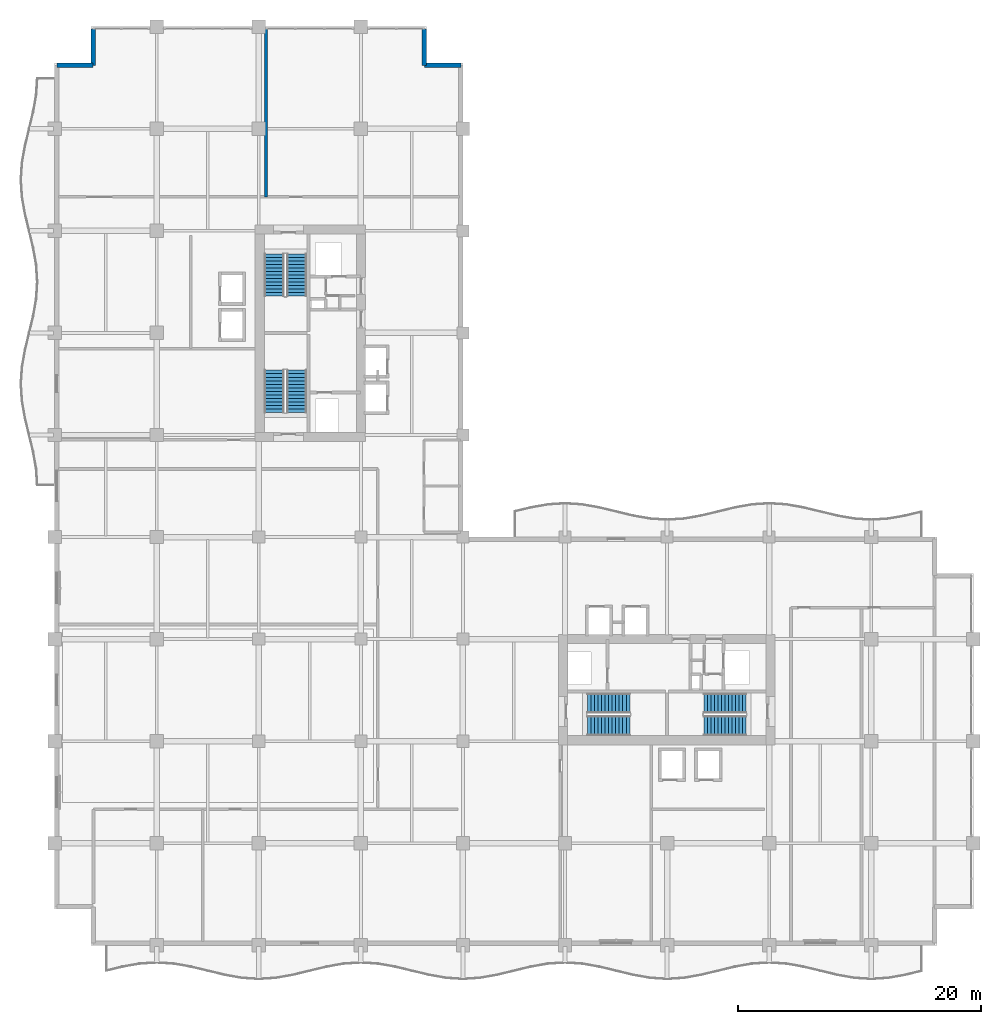
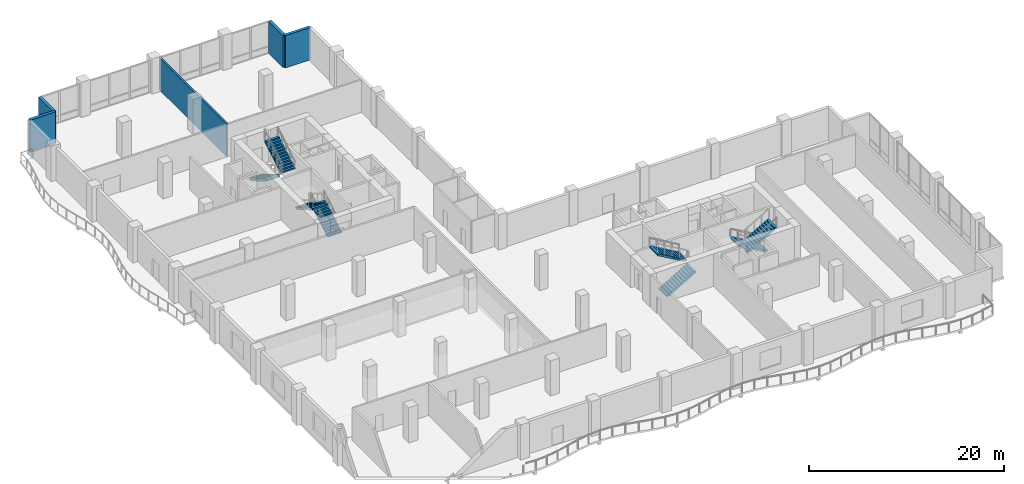
# One storey, part 19 of 25: 8 stair flights, 5 walls, 4 elements without a shape of their own.
"""IFC4 building model written with IfcOpenShell, lengths in metres."""

from ifc_helpers import new_model, si_unit, direction, frame, frame_2d, origin, place, context, subcontext, project, spatial, polyline, rectangle, outline, extrude, material, layer, layer_set, type_object, element, aggregate, save


model = new_model("IFC4")

# Units and contexts
model_context = context("Model", 3, precision=1e-05, world=origin(), true_north=direction((0.0, 1.0)))
body_context = subcontext(model_context, "Body", "Model", "MODEL_VIEW")
ifc_project = project(units=[si_unit("LENGTHUNIT", "METRE"), si_unit("AREAUNIT", "SQUARE_METRE"), si_unit("VOLUMEUNIT", "CUBIC_METRE"), si_unit("PLANEANGLEUNIT", "RADIAN"), si_unit("MASSUNIT", "GRAM", prefix="KILO")], contexts=[model_context])

# Site, building, storey
site_placement = place(None, origin())
site = spatial("IfcSite", under=ifc_project, at=site_placement, CompositionType="ELEMENT")
building_placement = place(site_placement, origin())
building = spatial("IfcBuilding", under=site, at=building_placement, Name="Koriwani Terraces Tower", CompositionType="ELEMENT")
storey_placement = place(building_placement, frame((0.0, 0.0, 157.60009765625)))
storey = spatial("IfcBuildingStorey", under=building, at=storey_placement, Name="L38", CompositionType="ELEMENT", Elevation=157.60009765625)

# Walls
ifc_material_1 = material(Name="Autoclaved Cellular Concrete Blockwork", Category="masonry")
ifc_layer_1 = layer(ifc_material_1, 0.219970703125, Name="Autoclaved Cellular Concrete Blockwork")
ifc_layer_set_1 = layer_set([ifc_layer_1], Name="Autoclaved Cellular Concrete Blockwork")
wall_type_1 = type_object("IfcWallType", Name="WALL_DEMISING_220", PredefinedType="PARTITIONING", material=ifc_layer_set_1)
wall_placement = place(storey_placement, frame((17.39990234375, 61.60009765625, 0.0), z_axis=(0.0, 0.0, 1.0), x_axis=(0.0, 1.0, 0.0)))
element("IfcWall", 1, at=wall_placement, inside=storey, type_object=wall_type_1, Name="L38 Interior Wall WSKY-NDIV-L38", PredefinedType="PARTITIONING", context=body_context, shape_type="SweptSolid", body=[
    extrude(rectangle(XDim=13.849853515625, YDim=0.219970703125, at=frame_2d((6.9248046875, 0.0))), origin(), (0.0, 0.0, 1.0), 4.0498046875),
])
ifc_material_2 = material(Name="Concrete C50/60", Category="concrete")
ifc_layer_2 = layer(ifc_material_2, 0.35009765625, Name="Concrete C50/60")
ifc_layer_set_2 = layer_set([ifc_layer_2], Name="Concrete C50/60")
wall_type_2 = type_object("IfcWallType", Name="WALL_EXT_BRUTALIST_350", PredefinedType="STANDARD", material=ifc_layer_set_2)
for number, where, z_axis, x_axis, name in (
    (2, (0.175048828125, 72.425048828125, 0.0), (0.0, 0.0, 1.0), (1.0, 0.0, 0.0), "L38 Fair-Faced Brutalist Exterior Wall (N3)"),
    (3, (3.175048828125, 72.425048828125, 0.0), (0.0, 0.0, 1.0), (0.0, 1.0, 0.0), "L38 Fair-Faced Brutalist Exterior Wall (N4)"),
    (4, (30.425048828125, 75.425048828125, 0.0), (0.0, 0.0, 1.0), (0.0, -1.0, 0.0), "L38 Fair-Faced Brutalist Exterior Wall (N6)"),
    (5, (30.425048828125, 72.425048828125, 0.0), (0.0, 0.0, 1.0), (1.0, 0.0, 0.0), "L38 Fair-Faced Brutalist Exterior Wall (N7)"),
):
    element("IfcWall", number, at=place(storey_placement, frame(where, z_axis=z_axis, x_axis=x_axis)), inside=storey, type_object=wall_type_2, Name=name, PredefinedType="STANDARD", context=body_context, shape_type="SweptSolid", body=[
        extrude(rectangle(XDim=3.0, YDim=0.35009765625, at=frame_2d((1.5, 0.0))), origin(), (0.0, 0.0, 1.0), 4.0498046875),
    ])

# Stair, stair flights
ifc_material_3 = material(Name="Concrete C40/50", Category="concrete")
stair_type = type_object("IfcStairType", Name="STAIR_CORE_DOGLEG_1650", PredefinedType="TWO_STRAIGHT_RUN_STAIR", material=ifc_material_3)
stair_1_placement = place(storey_placement, origin())
stair_1 = element("IfcStair", 6, at=stair_1_placement, inside=storey, type_object=stair_type, Name="L38 West Core Exit Stair 1", PredefinedType="HALF_TURN_STAIR")
stair_flight_type = type_object("IfcStairFlightType", Name="STAIR_FLIGHT_RC_1650", PredefinedType="STRAIGHT", material=ifc_material_3)
stair_flight_1_placement = place(storey_placement, frame((19.925048828125, 43.85009765625, 0.0), z_axis=(0.0, 0.0, 1.0), x_axis=(0.0, 1.0, 0.0)))
stair_flight_1 = element("IfcStairFlight", 7, at=stair_flight_1_placement, type_object=stair_flight_type, Name="ST-W1 flight 1", NumberOfRisers=13, NumberOfTreads=12, PredefinedType="STRAIGHT", RiserHeight=0.169230769, TreadLength=0.29, context=body_context, shape_type="SweptSolid", body=[
    extrude(outline(polyline([(0.0, 0.0), (0.0, 0.169189453125), (0.2900390625, 0.169189453125), (0.2900390625, 0.33837890625), (0.580078125, 0.33837890625), (0.580078125, 0.5078125), (0.8701171875, 0.5078125), (0.8701171875, 0.677001953125), (1.159912109375, 0.677001953125), (1.159912109375, 0.84619140625), (1.449951171875, 0.84619140625), (1.449951171875, 1.015380859375), (1.739990234375, 1.015380859375), (1.739990234375, 1.1845703125), (2.030029296875, 1.1845703125), (2.030029296875, 1.353759765625), (2.320068359375, 1.353759765625), (2.320068359375, 1.523193359375), (2.610107421875, 1.523193359375), (2.610107421875, 1.6923828125), (2.89990234375, 1.6923828125), (2.89990234375, 1.861572265625), (3.18994140625, 1.861572265625), (3.18994140625, 2.03076171875), (3.47998046875, 2.03076171875), (3.47998046875, 2.199951171875), (3.47998046875, 1.822509765625), (0.35693359375, 0.0), (0.0, 0.0)])), frame((0.0, 0.824951171875, 0.0), z_axis=(0.0, -1.0, 0.0), x_axis=(1.0, 0.0, 0.0)), (0.0, 0.0, 1.0), 1.64990234375),
])
stair_flight_2_placement = place(storey_placement, frame((18.074951171875, 47.330078125, 2.199951171875), z_axis=(0.0, 0.0, 1.0), x_axis=(0.0, -1.0, 0.0)))
stair_flight_2 = element("IfcStairFlight", 8, at=stair_flight_2_placement, type_object=stair_flight_type, Name="ST-W1 flight 2", NumberOfRisers=13, NumberOfTreads=12, PredefinedType="STRAIGHT", RiserHeight=0.169230769, TreadLength=0.29, context=body_context, shape_type="SweptSolid", body=[
    extrude(outline(polyline([(0.0, 0.0), (0.0, 0.169189453125), (0.2900390625, 0.169189453125), (0.2900390625, 0.33837890625), (0.580078125, 0.33837890625), (0.580078125, 0.5078125), (0.8701171875, 0.5078125), (0.8701171875, 0.677001953125), (1.159912109375, 0.677001953125), (1.159912109375, 0.84619140625), (1.449951171875, 0.84619140625), (1.449951171875, 1.015380859375), (1.739990234375, 1.015380859375), (1.739990234375, 1.1845703125), (2.030029296875, 1.1845703125), (2.030029296875, 1.353759765625), (2.320068359375, 1.353759765625), (2.320068359375, 1.523193359375), (2.610107421875, 1.523193359375), (2.610107421875, 1.6923828125), (2.89990234375, 1.6923828125), (2.89990234375, 1.861572265625), (3.18994140625, 1.861572265625), (3.18994140625, 2.03076171875), (3.47998046875, 2.03076171875), (3.47998046875, 2.199951171875), (3.47998046875, 1.822509765625), (0.35693359375, 0.0), (0.0, 0.0)])), frame((0.0, 0.824951171875, 0.0), z_axis=(0.0, -1.0, 0.0), x_axis=(1.0, 0.0, 0.0)), (0.0, 0.0, 1.0), 1.64990234375),
])
aggregate(stair_1, [stair_flight_1, stair_flight_2])

stair_2_placement = place(storey_placement, origin())
stair_2 = element("IfcStair", 9, at=stair_2_placement, inside=storey, type_object=stair_type, Name="L38 West Core Exit Stair 2", PredefinedType="HALF_TURN_STAIR")
stair_flight_3_placement = place(storey_placement, frame((18.074951171875, 56.89990234375, 0.0), z_axis=(0.0, 0.0, 1.0), x_axis=(0.0, -1.0, 0.0)))
stair_flight_3 = element("IfcStairFlight", 10, at=stair_flight_3_placement, type_object=stair_flight_type, Name="ST-W2 flight 1", NumberOfRisers=13, NumberOfTreads=12, PredefinedType="STRAIGHT", RiserHeight=0.169230769, TreadLength=0.29, context=body_context, shape_type="SweptSolid", body=[
    extrude(outline(polyline([(0.0, 0.0), (0.0, 0.169189453125), (0.2900390625, 0.169189453125), (0.2900390625, 0.33837890625), (0.580078125, 0.33837890625), (0.580078125, 0.5078125), (0.8701171875, 0.5078125), (0.8701171875, 0.677001953125), (1.159912109375, 0.677001953125), (1.159912109375, 0.84619140625), (1.449951171875, 0.84619140625), (1.449951171875, 1.015380859375), (1.739990234375, 1.015380859375), (1.739990234375, 1.1845703125), (2.030029296875, 1.1845703125), (2.030029296875, 1.353759765625), (2.320068359375, 1.353759765625), (2.320068359375, 1.523193359375), (2.610107421875, 1.523193359375), (2.610107421875, 1.6923828125), (2.89990234375, 1.6923828125), (2.89990234375, 1.861572265625), (3.18994140625, 1.861572265625), (3.18994140625, 2.03076171875), (3.47998046875, 2.03076171875), (3.47998046875, 2.199951171875), (3.47998046875, 1.822509765625), (0.35693359375, 0.0), (0.0, 0.0)])), frame((0.0, 0.824951171875, 0.0), z_axis=(0.0, -1.0, 0.0), x_axis=(1.0, 0.0, 0.0)), (0.0, 0.0, 1.0), 1.64990234375),
])
stair_flight_4_placement = place(storey_placement, frame((19.925048828125, 53.419921875, 2.199951171875), z_axis=(0.0, 0.0, 1.0), x_axis=(0.0, 1.0, 0.0)))
stair_flight_4 = element("IfcStairFlight", 11, at=stair_flight_4_placement, type_object=stair_flight_type, Name="ST-W2 flight 2", NumberOfRisers=13, NumberOfTreads=12, PredefinedType="STRAIGHT", RiserHeight=0.169230769, TreadLength=0.29, context=body_context, shape_type="SweptSolid", body=[
    extrude(outline(polyline([(0.0, 0.0), (0.0, 0.169189453125), (0.2900390625, 0.169189453125), (0.2900390625, 0.33837890625), (0.580078125, 0.33837890625), (0.580078125, 0.5078125), (0.8701171875, 0.5078125), (0.8701171875, 0.677001953125), (1.159912109375, 0.677001953125), (1.159912109375, 0.84619140625), (1.449951171875, 0.84619140625), (1.449951171875, 1.015380859375), (1.739990234375, 1.015380859375), (1.739990234375, 1.1845703125), (2.030029296875, 1.1845703125), (2.030029296875, 1.353759765625), (2.320068359375, 1.353759765625), (2.320068359375, 1.523193359375), (2.610107421875, 1.523193359375), (2.610107421875, 1.6923828125), (2.89990234375, 1.6923828125), (2.89990234375, 1.861572265625), (3.18994140625, 1.861572265625), (3.18994140625, 2.03076171875), (3.47998046875, 2.03076171875), (3.47998046875, 2.199951171875), (3.47998046875, 1.822509765625), (0.35693359375, 0.0), (0.0, 0.0)])), frame((0.0, 0.824951171875, 0.0), z_axis=(0.0, -1.0, 0.0), x_axis=(1.0, 0.0, 0.0)), (0.0, 0.0, 1.0), 1.64990234375),
])
aggregate(stair_2, [stair_flight_3, stair_flight_4])

stair_3_placement = place(storey_placement, origin())
stair_3 = element("IfcStair", 12, at=stair_3_placement, inside=storey, type_object=stair_type, Name="L38 East Core Exit Stair 1", PredefinedType="HALF_TURN_STAIR")
stair_flight_5_placement = place(storey_placement, frame((43.85009765625, 18.074951171875, 0.0), z_axis=(0.0, 0.0, 1.0), x_axis=(1.0, 0.0, 0.0)))
stair_flight_5 = element("IfcStairFlight", 13, at=stair_flight_5_placement, type_object=stair_flight_type, Name="ST-E1 flight 1", NumberOfRisers=13, NumberOfTreads=12, PredefinedType="STRAIGHT", RiserHeight=0.169230769, TreadLength=0.29, context=body_context, shape_type="SweptSolid", body=[
    extrude(outline(polyline([(0.0, 0.0), (0.0, 0.169189453125), (0.2900390625, 0.169189453125), (0.2900390625, 0.33837890625), (0.580078125, 0.33837890625), (0.580078125, 0.5078125), (0.8701171875, 0.5078125), (0.8701171875, 0.677001953125), (1.159912109375, 0.677001953125), (1.159912109375, 0.84619140625), (1.449951171875, 0.84619140625), (1.449951171875, 1.015380859375), (1.739990234375, 1.015380859375), (1.739990234375, 1.1845703125), (2.030029296875, 1.1845703125), (2.030029296875, 1.353759765625), (2.320068359375, 1.353759765625), (2.320068359375, 1.523193359375), (2.610107421875, 1.523193359375), (2.610107421875, 1.6923828125), (2.89990234375, 1.6923828125), (2.89990234375, 1.861572265625), (3.18994140625, 1.861572265625), (3.18994140625, 2.03076171875), (3.47998046875, 2.03076171875), (3.47998046875, 2.199951171875), (3.47998046875, 1.822509765625), (0.35693359375, 0.0), (0.0, 0.0)])), frame((0.0, 0.824951171875, 0.0), z_axis=(0.0, -1.0, 0.0), x_axis=(1.0, 0.0, 0.0)), (0.0, 0.0, 1.0), 1.64990234375),
])
stair_flight_6_placement = place(storey_placement, frame((47.330078125, 19.925048828125, 2.199951171875), z_axis=(0.0, 0.0, 1.0), x_axis=(-1.0, 0.0, 0.0)))
stair_flight_6 = element("IfcStairFlight", 14, at=stair_flight_6_placement, type_object=stair_flight_type, Name="ST-E1 flight 2", NumberOfRisers=13, NumberOfTreads=12, PredefinedType="STRAIGHT", RiserHeight=0.169230769, TreadLength=0.29, context=body_context, shape_type="SweptSolid", body=[
    extrude(outline(polyline([(0.0, 0.0), (0.0, 0.169189453125), (0.2900390625, 0.169189453125), (0.2900390625, 0.33837890625), (0.580078125, 0.33837890625), (0.580078125, 0.5078125), (0.8701171875, 0.5078125), (0.8701171875, 0.677001953125), (1.159912109375, 0.677001953125), (1.159912109375, 0.84619140625), (1.449951171875, 0.84619140625), (1.449951171875, 1.015380859375), (1.739990234375, 1.015380859375), (1.739990234375, 1.1845703125), (2.030029296875, 1.1845703125), (2.030029296875, 1.353759765625), (2.320068359375, 1.353759765625), (2.320068359375, 1.523193359375), (2.610107421875, 1.523193359375), (2.610107421875, 1.6923828125), (2.89990234375, 1.6923828125), (2.89990234375, 1.861572265625), (3.18994140625, 1.861572265625), (3.18994140625, 2.03076171875), (3.47998046875, 2.03076171875), (3.47998046875, 2.199951171875), (3.47998046875, 1.822509765625), (0.35693359375, 0.0), (0.0, 0.0)])), frame((0.0, 0.824951171875, 0.0), z_axis=(0.0, -1.0, 0.0), x_axis=(1.0, 0.0, 0.0)), (0.0, 0.0, 1.0), 1.64990234375),
])
aggregate(stair_3, [stair_flight_5, stair_flight_6])

stair_4_placement = place(storey_placement, origin())
stair_4 = element("IfcStair", 15, at=stair_4_placement, inside=storey, type_object=stair_type, Name="L38 East Core Exit Stair 2", PredefinedType="HALF_TURN_STAIR")
stair_flight_7_placement = place(storey_placement, frame((56.89990234375, 19.925048828125, 0.0), z_axis=(0.0, 0.0, 1.0), x_axis=(-1.0, 0.0, 0.0)))
stair_flight_7 = element("IfcStairFlight", 16, at=stair_flight_7_placement, type_object=stair_flight_type, Name="ST-E2 flight 1", NumberOfRisers=13, NumberOfTreads=12, PredefinedType="STRAIGHT", RiserHeight=0.169230769, TreadLength=0.29, context=body_context, shape_type="SweptSolid", body=[
    extrude(outline(polyline([(0.0, 0.0), (0.0, 0.169189453125), (0.2900390625, 0.169189453125), (0.2900390625, 0.33837890625), (0.580078125, 0.33837890625), (0.580078125, 0.5078125), (0.8701171875, 0.5078125), (0.8701171875, 0.677001953125), (1.159912109375, 0.677001953125), (1.159912109375, 0.84619140625), (1.449951171875, 0.84619140625), (1.449951171875, 1.015380859375), (1.739990234375, 1.015380859375), (1.739990234375, 1.1845703125), (2.030029296875, 1.1845703125), (2.030029296875, 1.353759765625), (2.320068359375, 1.353759765625), (2.320068359375, 1.523193359375), (2.610107421875, 1.523193359375), (2.610107421875, 1.6923828125), (2.89990234375, 1.6923828125), (2.89990234375, 1.861572265625), (3.18994140625, 1.861572265625), (3.18994140625, 2.03076171875), (3.47998046875, 2.03076171875), (3.47998046875, 2.199951171875), (3.47998046875, 1.822509765625), (0.35693359375, 0.0), (0.0, 0.0)])), frame((0.0, 0.824951171875, 0.0), z_axis=(0.0, -1.0, 0.0), x_axis=(1.0, 0.0, 0.0)), (0.0, 0.0, 1.0), 1.64990234375),
])
stair_flight_8_placement = place(storey_placement, frame((53.419921875, 18.074951171875, 2.199951171875), z_axis=(0.0, 0.0, 1.0), x_axis=(1.0, 0.0, 0.0)))
stair_flight_8 = element("IfcStairFlight", 17, at=stair_flight_8_placement, type_object=stair_flight_type, Name="ST-E2 flight 2", NumberOfRisers=13, NumberOfTreads=12, PredefinedType="STRAIGHT", RiserHeight=0.169230769, TreadLength=0.29, context=body_context, shape_type="SweptSolid", body=[
    extrude(outline(polyline([(0.0, 0.0), (0.0, 0.169189453125), (0.2900390625, 0.169189453125), (0.2900390625, 0.33837890625), (0.580078125, 0.33837890625), (0.580078125, 0.5078125), (0.8701171875, 0.5078125), (0.8701171875, 0.677001953125), (1.159912109375, 0.677001953125), (1.159912109375, 0.84619140625), (1.449951171875, 0.84619140625), (1.449951171875, 1.015380859375), (1.739990234375, 1.015380859375), (1.739990234375, 1.1845703125), (2.030029296875, 1.1845703125), (2.030029296875, 1.353759765625), (2.320068359375, 1.353759765625), (2.320068359375, 1.523193359375), (2.610107421875, 1.523193359375), (2.610107421875, 1.6923828125), (2.89990234375, 1.6923828125), (2.89990234375, 1.861572265625), (3.18994140625, 1.861572265625), (3.18994140625, 2.03076171875), (3.47998046875, 2.03076171875), (3.47998046875, 2.199951171875), (3.47998046875, 1.822509765625), (0.35693359375, 0.0), (0.0, 0.0)])), frame((0.0, 0.824951171875, 0.0), z_axis=(0.0, -1.0, 0.0), x_axis=(1.0, 0.0, 0.0)), (0.0, 0.0, 1.0), 1.64990234375),
])
aggregate(stair_4, [stair_flight_7, stair_flight_8])

save(model, "model.ifc")
